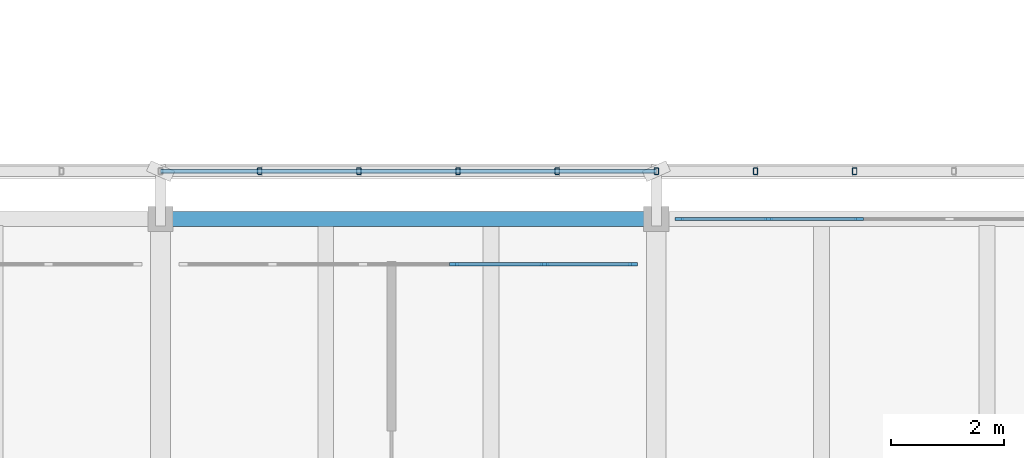
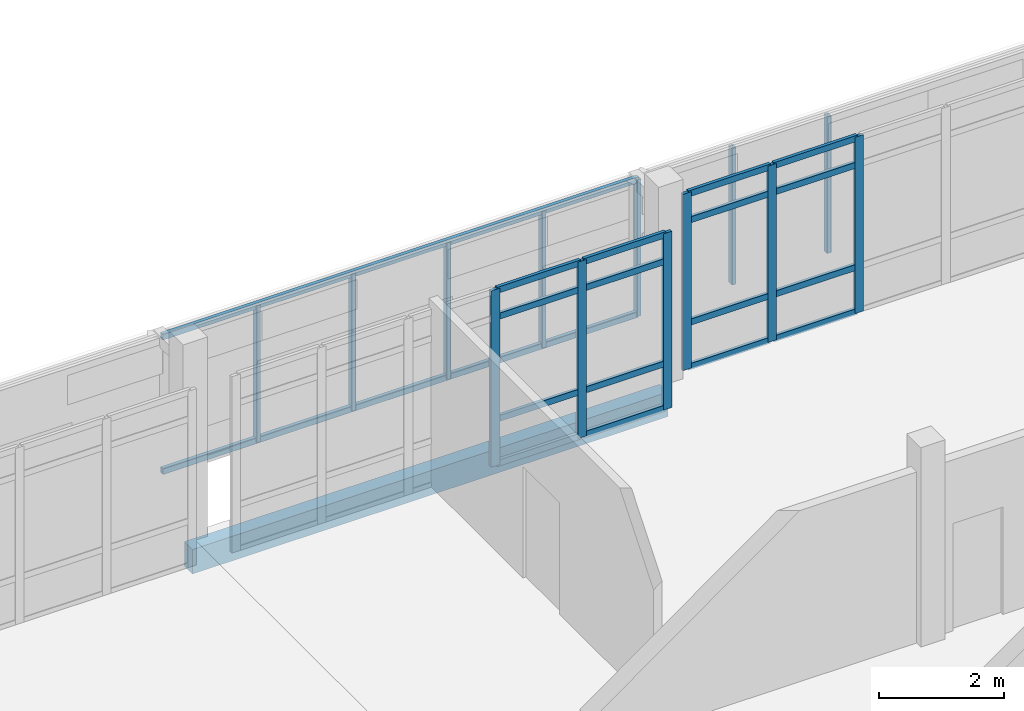
# One storey, part 29 of 117: 31 members, 1 beam, 2 elements without a shape of their own.
"""IFC4 building model written with IfcOpenShell, lengths in metres."""

from ifc_helpers import new_model, si_unit, direction, frame, origin, origin_2d, place, context, subcontext, project, spatial, rectangle, hollow_rectangle, extrude, material, material_profile, profile_set, type_object, element, aggregate, save


model = new_model("IFC4")

# Units and contexts
model_context = context("Model", 3, precision=1e-05, world=origin(), true_north=direction((0.0, 1.0)))
body_context = subcontext(model_context, "Body", "Model", "MODEL_VIEW")
ifc_project = project(units=[si_unit("LENGTHUNIT", "METRE"), si_unit("AREAUNIT", "SQUARE_METRE"), si_unit("VOLUMEUNIT", "CUBIC_METRE"), si_unit("PLANEANGLEUNIT", "RADIAN"), si_unit("MASSUNIT", "GRAM", prefix="KILO")], contexts=[model_context])

# Site, building, storey
site_placement = place(None, origin())
site = spatial("IfcSite", under=ifc_project, at=site_placement, CompositionType="ELEMENT")
building_placement = place(site_placement, origin())
building = spatial("IfcBuilding", under=site, at=building_placement, Name="Cinderway Yard Community Centre", CompositionType="ELEMENT")
storey_placement = place(building_placement, frame((0.0, 0.0, 9.0)))
storey = spatial("IfcBuildingStorey", under=building, at=storey_placement, Name="L02", CompositionType="ELEMENT", Elevation=9.0)

# Curtain wall, members
ifc_material_1 = material(Name="Aluminium 6063-T6", Category="aluminium")
curtain_wall_type = type_object("IfcCurtainWallType", Name="ENV-CW-TYPE-30", PredefinedType="USERDEFINED", material=ifc_material_1)
curtain_wall_1_placement = place(storey_placement, origin())
curtain_wall_1 = element("IfcCurtainWall", 1, at=curtain_wall_1_placement, inside=storey, type_object=curtain_wall_type, Name="Dining Courtyard Curtain Wall ENV-CW-L02-ST-0104", ObjectType="GLAZED CURTAIN WALL", PredefinedType="USERDEFINED")
ifc_material_profile_1 = material_profile(ifc_material_1, rectangle(XDim=0.06005859375, YDim=0.159912109375, at=origin_2d()), Name="Aluminium 6063-T6")
ifc_profile_set_1 = profile_set([ifc_material_profile_1], Name="Aluminium 6063-T6")
member_type_1 = type_object("IfcMemberType", Name="ENV-CW-MULL-150", PredefinedType="MULLION", material=ifc_profile_set_1)
member_1_placement = place(storey_placement, frame((89.2041015625, 22.0, 0.0), z_axis=(0.0, 0.0, 1.0), x_axis=(0.0, 1.0, 0.0)))
member_1 = element("IfcMember", 2, at=member_1_placement, type_object=member_type_1, Name="CW-30 mullion 4", PredefinedType="MULLION", context=body_context, shape_type="SweptSolid", body=[
    extrude(rectangle(XDim=0.06005859375, YDim=0.159912109375, at=origin_2d()), origin(), (0.0, 0.0, 1.0), 3.449951171875),
])
member_2_placement = place(storey_placement, frame((90.81201171875, 22.0, 0.0), z_axis=(0.0, 0.0, 1.0), x_axis=(0.0, 1.0, 0.0)))
member_2 = element("IfcMember", 3, at=member_2_placement, type_object=member_type_1, Name="CW-30 mullion 5", PredefinedType="MULLION", context=body_context, shape_type="SweptSolid", body=[
    extrude(rectangle(XDim=0.06005859375, YDim=0.159912109375, at=origin_2d()), origin(), (0.0, 0.0, 1.0), 3.449951171875),
])
member_3_placement = place(storey_placement, frame((92.389892578125, 22.0, 0.0), z_axis=(0.0, 0.0, 1.0), x_axis=(0.0, 1.0, 0.0)))
member_3 = element("IfcMember", 4, at=member_3_placement, type_object=member_type_1, Name="CW-30 mullion 6", PredefinedType="MULLION", context=body_context, shape_type="SweptSolid", body=[
    extrude(rectangle(XDim=0.06005859375, YDim=0.159912109375, at=origin_2d()), origin(), (0.0, 0.0, 1.0), 3.449951171875),
])

curtain_wall_2_placement = place(storey_placement, origin())
curtain_wall_2 = element("IfcCurtainWall", 5, at=curtain_wall_2_placement, inside=storey, type_object=curtain_wall_type, Name="Dining Courtyard Curtain Wall ENV-CW-L02-ST-0105", ObjectType="GLAZED CURTAIN WALL", PredefinedType="USERDEFINED")
member_4_placement = place(storey_placement, frame((93.2099609375, 22.800048828125, 0.0), z_axis=(0.0, 0.0, 1.0), x_axis=(0.0, 1.0, 0.0)))
member_4 = element("IfcMember", 6, at=member_4_placement, type_object=member_type_1, Name="CW-30 mullion 1", PredefinedType="MULLION", context=body_context, shape_type="SweptSolid", body=[
    extrude(rectangle(XDim=0.06005859375, YDim=0.159912109375, at=origin_2d()), origin(), (0.0, 0.0, 1.0), 3.449951171875),
])
member_5_placement = place(storey_placement, frame((94.7880859375, 22.800048828125, 0.0), z_axis=(0.0, 0.0, 1.0), x_axis=(0.0, 1.0, 0.0)))
member_5 = element("IfcMember", 7, at=member_5_placement, type_object=member_type_1, Name="CW-30 mullion 2", PredefinedType="MULLION", context=body_context, shape_type="SweptSolid", body=[
    extrude(rectangle(XDim=0.06005859375, YDim=0.159912109375, at=origin_2d()), origin(), (0.0, 0.0, 1.0), 3.449951171875),
])
member_6_placement = place(storey_placement, frame((96.39599609375, 22.800048828125, 0.0), z_axis=(0.0, 0.0, 1.0), x_axis=(0.0, 1.0, 0.0)))
member_6 = element("IfcMember", 8, at=member_6_placement, type_object=member_type_1, Name="CW-30 mullion 3", PredefinedType="MULLION", context=body_context, shape_type="SweptSolid", body=[
    extrude(rectangle(XDim=0.06005859375, YDim=0.159912109375, at=origin_2d()), origin(), (0.0, 0.0, 1.0), 3.449951171875),
])

# Member
ifc_material_profile_2 = material_profile(ifc_material_1, rectangle(XDim=0.06005859375, YDim=0.1201171875, at=origin_2d()), Name="Aluminium 6063-T6")
ifc_profile_set_2 = profile_set([ifc_material_profile_2], Name="Aluminium 6063-T6")
member_type_2 = type_object("IfcMemberType", Name="ENV-CW-TRAN-110", PredefinedType="USERDEFINED", material=ifc_profile_set_2)
member_7_placement = place(storey_placement, frame((89.23388671875, 22.0, 0.030029296875), z_axis=(1.0, 0.0, 0.0), x_axis=(0.0, 1.0, 0.0)))
member_7 = element("IfcMember", 9, at=member_7_placement, type_object=member_type_2, Name="CW-30 transom 4.1", ObjectType="TRANSOM", PredefinedType="USERDEFINED", context=body_context, shape_type="SweptSolid", body=[
    extrude(rectangle(XDim=0.06005859375, YDim=0.1201171875, at=origin_2d()), origin(), (0.0, 0.0, 1.0), 1.548095703125),
])

member_8_placement = place(storey_placement, frame((89.23388671875, 22.0, 0.89990234375), z_axis=(1.0, 0.0, 0.0), x_axis=(0.0, 1.0, 0.0)))
member_8 = element("IfcMember", 10, at=member_8_placement, type_object=member_type_2, Name="CW-30 transom 4.2", ObjectType="TRANSOM", PredefinedType="USERDEFINED", context=body_context, shape_type="SweptSolid", body=[
    extrude(rectangle(XDim=0.06005859375, YDim=0.1201171875, at=origin_2d()), origin(), (0.0, 0.0, 1.0), 1.548095703125),
])

member_9_placement = place(storey_placement, frame((89.23388671875, 22.0, 2.89990234375), z_axis=(1.0, 0.0, 0.0), x_axis=(0.0, 1.0, 0.0)))
member_9 = element("IfcMember", 11, at=member_9_placement, type_object=member_type_2, Name="CW-30 transom 4.3", ObjectType="TRANSOM", PredefinedType="USERDEFINED", context=body_context, shape_type="SweptSolid", body=[
    extrude(rectangle(XDim=0.06005859375, YDim=0.1201171875, at=origin_2d()), origin(), (0.0, 0.0, 1.0), 1.548095703125),
])

member_10_placement = place(storey_placement, frame((89.23388671875, 22.0, 3.419921875), z_axis=(1.0, 0.0, 0.0), x_axis=(0.0, 1.0, 0.0)))
member_10 = element("IfcMember", 12, at=member_10_placement, type_object=member_type_2, Name="CW-30 transom 4.4", ObjectType="TRANSOM", PredefinedType="USERDEFINED", context=body_context, shape_type="SweptSolid", body=[
    extrude(rectangle(XDim=0.06005859375, YDim=0.1201171875, at=origin_2d()), origin(), (0.0, 0.0, 1.0), 1.548095703125),
])

member_11_placement = place(storey_placement, frame((90.842041015625, 22.0, 0.030029296875), z_axis=(1.0, 0.0, 0.0), x_axis=(0.0, 1.0, 0.0)))
member_11 = element("IfcMember", 13, at=member_11_placement, type_object=member_type_2, Name="CW-30 transom 5.1", ObjectType="TRANSOM", PredefinedType="USERDEFINED", context=body_context, shape_type="SweptSolid", body=[
    extrude(rectangle(XDim=0.06005859375, YDim=0.1201171875, at=origin_2d()), origin(), (0.0, 0.0, 1.0), 1.51806640625),
])

member_12_placement = place(storey_placement, frame((90.842041015625, 22.0, 0.89990234375), z_axis=(1.0, 0.0, 0.0), x_axis=(0.0, 1.0, 0.0)))
member_12 = element("IfcMember", 14, at=member_12_placement, type_object=member_type_2, Name="CW-30 transom 5.2", ObjectType="TRANSOM", PredefinedType="USERDEFINED", context=body_context, shape_type="SweptSolid", body=[
    extrude(rectangle(XDim=0.06005859375, YDim=0.1201171875, at=origin_2d()), origin(), (0.0, 0.0, 1.0), 1.51806640625),
])

member_13_placement = place(storey_placement, frame((90.842041015625, 22.0, 2.89990234375), z_axis=(1.0, 0.0, 0.0), x_axis=(0.0, 1.0, 0.0)))
member_13 = element("IfcMember", 15, at=member_13_placement, type_object=member_type_2, Name="CW-30 transom 5.3", ObjectType="TRANSOM", PredefinedType="USERDEFINED", context=body_context, shape_type="SweptSolid", body=[
    extrude(rectangle(XDim=0.06005859375, YDim=0.1201171875, at=origin_2d()), origin(), (0.0, 0.0, 1.0), 1.51806640625),
])

member_14_placement = place(storey_placement, frame((90.842041015625, 22.0, 3.419921875), z_axis=(1.0, 0.0, 0.0), x_axis=(0.0, 1.0, 0.0)))
member_14 = element("IfcMember", 16, at=member_14_placement, type_object=member_type_2, Name="CW-30 transom 5.4", ObjectType="TRANSOM", PredefinedType="USERDEFINED", context=body_context, shape_type="SweptSolid", body=[
    extrude(rectangle(XDim=0.06005859375, YDim=0.1201171875, at=origin_2d()), origin(), (0.0, 0.0, 1.0), 1.51806640625),
])

aggregate(curtain_wall_1, [member_1, member_2, member_3, member_7, member_8, member_9, member_10, member_11, member_12, member_13, member_14])

member_15_placement = place(storey_placement, frame((93.239990234375, 22.800048828125, 0.030029296875), z_axis=(1.0, 0.0, 0.0), x_axis=(0.0, 1.0, 0.0)))
member_15 = element("IfcMember", 17, at=member_15_placement, type_object=member_type_2, Name="CW-30 transom 1.1", ObjectType="TRANSOM", PredefinedType="USERDEFINED", context=body_context, shape_type="SweptSolid", body=[
    extrude(rectangle(XDim=0.06005859375, YDim=0.1201171875, at=origin_2d()), origin(), (0.0, 0.0, 1.0), 1.51806640625),
])

member_16_placement = place(storey_placement, frame((93.239990234375, 22.800048828125, 0.89990234375), z_axis=(1.0, 0.0, 0.0), x_axis=(0.0, 1.0, 0.0)))
member_16 = element("IfcMember", 18, at=member_16_placement, type_object=member_type_2, Name="CW-30 transom 1.2", ObjectType="TRANSOM", PredefinedType="USERDEFINED", context=body_context, shape_type="SweptSolid", body=[
    extrude(rectangle(XDim=0.06005859375, YDim=0.1201171875, at=origin_2d()), origin(), (0.0, 0.0, 1.0), 1.51806640625),
])

member_17_placement = place(storey_placement, frame((93.239990234375, 22.800048828125, 2.89990234375), z_axis=(1.0, 0.0, 0.0), x_axis=(0.0, 1.0, 0.0)))
member_17 = element("IfcMember", 19, at=member_17_placement, type_object=member_type_2, Name="CW-30 transom 1.3", ObjectType="TRANSOM", PredefinedType="USERDEFINED", context=body_context, shape_type="SweptSolid", body=[
    extrude(rectangle(XDim=0.06005859375, YDim=0.1201171875, at=origin_2d()), origin(), (0.0, 0.0, 1.0), 1.51806640625),
])

member_18_placement = place(storey_placement, frame((93.239990234375, 22.800048828125, 3.419921875), z_axis=(1.0, 0.0, 0.0), x_axis=(0.0, 1.0, 0.0)))
member_18 = element("IfcMember", 20, at=member_18_placement, type_object=member_type_2, Name="CW-30 transom 1.4", ObjectType="TRANSOM", PredefinedType="USERDEFINED", context=body_context, shape_type="SweptSolid", body=[
    extrude(rectangle(XDim=0.06005859375, YDim=0.1201171875, at=origin_2d()), origin(), (0.0, 0.0, 1.0), 1.51806640625),
])

member_19_placement = place(storey_placement, frame((94.818115234375, 22.800048828125, 0.030029296875), z_axis=(1.0, 0.0, 0.0), x_axis=(0.0, 1.0, 0.0)))
member_19 = element("IfcMember", 21, at=member_19_placement, type_object=member_type_2, Name="CW-30 transom 2.1", ObjectType="TRANSOM", PredefinedType="USERDEFINED", context=body_context, shape_type="SweptSolid", body=[
    extrude(rectangle(XDim=0.06005859375, YDim=0.1201171875, at=origin_2d()), origin(), (0.0, 0.0, 1.0), 1.5478515625),
])

member_20_placement = place(storey_placement, frame((94.818115234375, 22.800048828125, 0.89990234375), z_axis=(1.0, 0.0, 0.0), x_axis=(0.0, 1.0, 0.0)))
member_20 = element("IfcMember", 22, at=member_20_placement, type_object=member_type_2, Name="CW-30 transom 2.2", ObjectType="TRANSOM", PredefinedType="USERDEFINED", context=body_context, shape_type="SweptSolid", body=[
    extrude(rectangle(XDim=0.06005859375, YDim=0.1201171875, at=origin_2d()), origin(), (0.0, 0.0, 1.0), 1.5478515625),
])

member_21_placement = place(storey_placement, frame((94.818115234375, 22.800048828125, 2.89990234375), z_axis=(1.0, 0.0, 0.0), x_axis=(0.0, 1.0, 0.0)))
member_21 = element("IfcMember", 23, at=member_21_placement, type_object=member_type_2, Name="CW-30 transom 2.3", ObjectType="TRANSOM", PredefinedType="USERDEFINED", context=body_context, shape_type="SweptSolid", body=[
    extrude(rectangle(XDim=0.06005859375, YDim=0.1201171875, at=origin_2d()), origin(), (0.0, 0.0, 1.0), 1.5478515625),
])

member_22_placement = place(storey_placement, frame((94.818115234375, 22.800048828125, 3.419921875), z_axis=(1.0, 0.0, 0.0), x_axis=(0.0, 1.0, 0.0)))
member_22 = element("IfcMember", 24, at=member_22_placement, type_object=member_type_2, Name="CW-30 transom 2.4", ObjectType="TRANSOM", PredefinedType="USERDEFINED", context=body_context, shape_type="SweptSolid", body=[
    extrude(rectangle(XDim=0.06005859375, YDim=0.1201171875, at=origin_2d()), origin(), (0.0, 0.0, 1.0), 1.5478515625),
])

aggregate(curtain_wall_2, [member_4, member_5, member_6, member_15, member_16, member_17, member_18, member_19, member_20, member_21, member_22])

# Members
ifc_material_2 = material(Name="Steel S355", Category="steel")
ifc_material_profile_3 = material_profile(ifc_material_2, hollow_rectangle(XDim=0.080078125, YDim=0.1201171875, WallThickness=0.00634765625, InnerFilletRadius=0.00634765625, OuterFilletRadius=0.0126953125, at=origin_2d()), Name="Steel S355")
ifc_profile_set_3 = profile_set([ifc_material_profile_3], Name="Steel S355")
member_type_3 = type_object("IfcMemberType", Name="ENV-MEM-SCREEN-RAIL-120", PredefinedType="STRINGER", material=ifc_profile_set_3)
for number, where, z_axis, x_axis, name in (
    (25, (84.0, 23.64990234375, 0.7099609375), (1.0, 0.0, 0.0), (0.0, 1.0, 0.0), "Screen support rail 0716-BOT"),
    (26, (84.0, 23.64990234375, 3.340087890625), (1.0, 0.0, 0.0), (0.0, 1.0, 0.0), "Screen support rail 0717-TOP"),
):
    element("IfcMember", number, at=place(storey_placement, frame(where, z_axis=z_axis, x_axis=x_axis)), inside=storey, type_object=member_type_3, Name=name, PredefinedType="STRINGER", context=body_context, shape_type="SweptSolid", body=[
        extrude(hollow_rectangle(XDim=0.080078125, YDim=0.1201171875, WallThickness=0.00634765625, InnerFilletRadius=0.00634765625, OuterFilletRadius=0.0126953125, at=origin_2d()), origin(), (0.0, 0.0, 1.0), 8.800048828125),
    ])
for number, where, z_axis, x_axis, name in (
    (27, (85.760009765625, 23.64990234375, 0.68994140625), (0.0, 0.0, 1.0), (1.0, 0.0, 0.0), "Screen vertical mullion 0718"),
    (28, (87.52001953125, 23.64990234375, 0.68994140625), (0.0, 0.0, 1.0), (1.0, 0.0, 0.0), "Screen vertical mullion 0719"),
    (29, (89.280029296875, 23.64990234375, 0.68994140625), (0.0, 0.0, 1.0), (1.0, 0.0, 0.0), "Screen vertical mullion 0720"),
    (30, (91.0400390625, 23.64990234375, 0.68994140625), (0.0, 0.0, 1.0), (1.0, 0.0, 0.0), "Screen vertical mullion 0721"),
    (31, (92.800048828125, 23.64990234375, 0.68994140625), (0.0, 0.0, 1.0), (1.0, 0.0, 0.0), "Screen vertical mullion 0722"),
    (32, (94.56005859375, 23.64990234375, 0.68994140625), (0.0, 0.0, 1.0), (1.0, 0.0, 0.0), "Screen vertical mullion 0726"),
    (33, (96.320068359375, 23.64990234375, 0.68994140625), (0.0, 0.0, 1.0), (1.0, 0.0, 0.0), "Screen vertical mullion 0727"),
):
    element("IfcMember", number, at=place(storey_placement, frame(where, z_axis=z_axis, x_axis=x_axis)), inside=storey, type_object=member_type_3, Name=name, PredefinedType="STRINGER", context=body_context, shape_type="SweptSolid", body=[
        extrude(hollow_rectangle(XDim=0.080078125, YDim=0.1201171875, WallThickness=0.00634765625, InnerFilletRadius=0.00634765625, OuterFilletRadius=0.0126953125, at=origin_2d()), origin(), (0.0, 0.0, 1.0), 2.670166015625),
    ])

# Beam
ifc_material_3 = material(Name="Concrete C40/50", Category="concrete")
ifc_material_profile_4 = material_profile(ifc_material_3, rectangle(XDim=0.260009765625, YDim=0.47998046875, at=origin_2d()), Name="Concrete C40/50")
ifc_profile_set_4 = profile_set([ifc_material_profile_4], Name="Concrete C40/50")
beam_type = type_object("IfcBeamType", Name="STR-BM-RC260X480", PredefinedType="SPANDREL", material=ifc_profile_set_4)
beam_placement = place(storey_placement, frame((84.0, 22.800048828125, -0.47998046875), z_axis=(1.0, 0.0, 0.0), x_axis=(0.0, 1.0, 0.0)))
element("IfcBeam", 34, at=beam_placement, inside=storey, type_object=beam_type, Name="Primary girder STR-BM-L02-SP01-0452", PredefinedType="SPANDREL", context=body_context, shape_type="SweptSolid", body=[
    extrude(rectangle(XDim=0.260009765625, YDim=0.47998046875, at=origin_2d()), origin(), (0.0, 0.0, 1.0), 8.800048828125),
])

save(model, "model.ifc")
